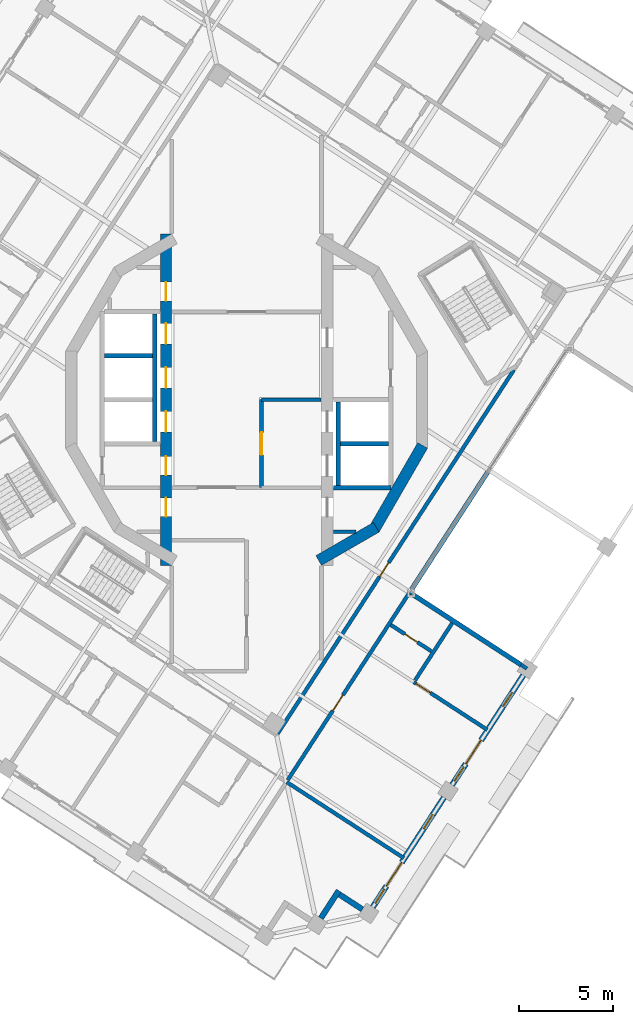
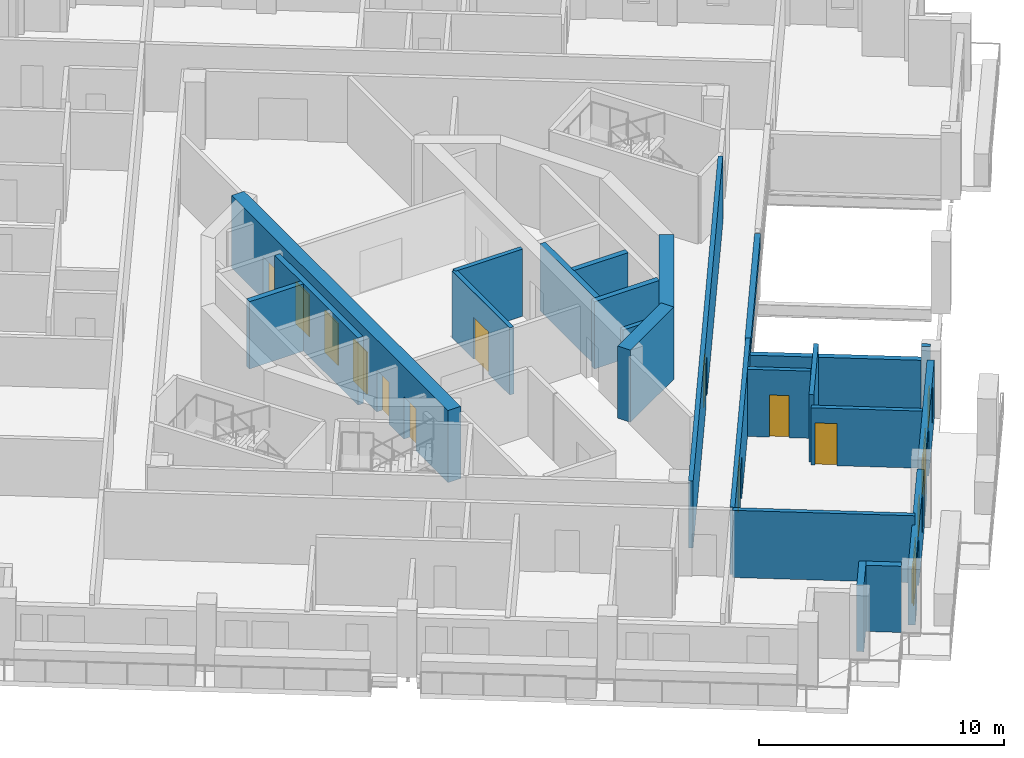
# One storey, part 7 of 17: 24 walls, 13 doors, 4 windows, 17 openings.
"""IFC4 building model written with IfcOpenShell, lengths in metres."""

from ifc_helpers import new_model, si_unit, direction, frame, frame_2d, origin, place, context, subcontext, project, spatial, rectangle, extrude, material, layer, layer_set, type_object, element, fill, save


model = new_model("IFC4")

# Units and contexts
model_context = context("Model", 3, precision=1e-05, world=origin(), true_north=direction((0.0, 1.0)))
body_context = subcontext(model_context, "Body", "Model", "MODEL_VIEW")
ifc_project = project(units=[si_unit("LENGTHUNIT", "METRE"), si_unit("AREAUNIT", "SQUARE_METRE"), si_unit("VOLUMEUNIT", "CUBIC_METRE"), si_unit("PLANEANGLEUNIT", "RADIAN"), si_unit("MASSUNIT", "GRAM", prefix="KILO")], contexts=[model_context])

# Site, building, storey
site_placement = place(None, origin())
site = spatial("IfcSite", under=ifc_project, at=site_placement, CompositionType="ELEMENT")
building_placement = place(site_placement, origin())
building = spatial("IfcBuilding", under=site, at=building_placement, Name="Cantera Rosa Tower", CompositionType="ELEMENT")
storey_placement = place(building_placement, frame((0.0, 0.0, 264.89990234375)))
storey = spatial("IfcBuildingStorey", under=building, at=storey_placement, Name="L59", CompositionType="ELEMENT", Elevation=264.89990234375)

# Wall, opening, door
ifc_material_1 = material(Name="Gypsum board partition")
ifc_layer_1 = layer(ifc_material_1, 0.199951171875)
ifc_layer_set_1 = layer_set([ifc_layer_1], Name="CORRIDOR WALL 200 H3350")
wall_type_1 = type_object("IfcWallType", Name="CORRIDOR WALL 200 H3350", PredefinedType="PARTITIONING", material=ifc_layer_set_1)
wall_1_placement = place(storey_placement, frame((1.656982421875, -17.828857421875, 0.0), z_axis=(0.0, 0.0, 1.0), x_axis=(0.544640309195, 0.838669740482, 0.0)))
wall_1 = element("IfcWall", 1, at=wall_1_placement, inside=storey, type_object=wall_type_1, Name="CORRIDOR WALL L59-064", PredefinedType="PARTITIONING", context=body_context, shape_type="SweptSolid", body=[
    extrude(rectangle(XDim=23.1552734375, YDim=0.199951171875, at=frame_2d((11.57763671875, 0.0))), origin(), (0.0, 0.0, 1.0), 3.35009765625),
])
opening_1_placement = place(wall_1_placement, frame((9.984619140625, 0.0, 0.0)))
opening_1 = element("IfcOpeningElement", 2, at=opening_1_placement, cuts=wall_1, Name="Opening L59-007", PredefinedType="OPENING", context=body_context, shape_type="SweptSolid", body=[
    extrude(rectangle(XDim=0.89990234375, YDim=2.10009765625, at=frame_2d((0.449951171875, 1.050048828125))), frame((0.0, 0.10986328125, 0.0), z_axis=(0.0, -1.0, 0.0), x_axis=(1.0, 0.0, 0.0)), (0.0, 0.0, 1.0), 0.219970703125),
])
ifc_material_2 = material(Name="Timber door leaf", Category="wood")
door_type_1 = type_object("IfcDoorType", Name="SERVICE DOOR 900x2100", OperationType="NOTDEFINED", PredefinedType="DOOR", material=ifc_material_2)
door_1_placement = place(opening_1_placement, origin())
door_1 = element("IfcDoor", 3, at=door_1_placement, inside=storey, type_object=door_type_1, Name="DOOR L59-007", OperationType="NOTDEFINED", OverallHeight=2.10009765625, OverallWidth=0.89990234375, PredefinedType="DOOR", context=body_context, shape_type="SweptSolid", body=[
    extrude(rectangle(XDim=0.89990234375, YDim=2.10009765625, at=frame_2d((0.449951171875, 1.050048828125))), frame((0.0, 0.02490234375, 0.0), z_axis=(0.0, -1.0, 0.0), x_axis=(1.0, 0.0, 0.0)), (0.0, 0.0, 1.0), 0.050048828125),
])
fill(opening_1, door_1)

wall_2_placement = place(storey_placement, frame((2.197265625, -20.302001953125, 0.0), z_axis=(0.0, 0.0, 1.0), x_axis=(0.544634094659, 0.83867377623, 0.0)))
wall_2 = element("IfcWall", 4, at=wall_2_placement, inside=storey, type_object=wall_type_1, Name="CORRIDOR WALL L59-065", PredefinedType="PARTITIONING", context=body_context, shape_type="SweptSolid", body=[
    extrude(rectangle(XDim=12.06494140625, YDim=0.199951171875, at=frame_2d((6.032470703125, 0.0))), origin(), (0.0, 0.0, 1.0), 3.35009765625),
])
opening_2_placement = place(wall_2_placement, frame((4.409912109375, 0.0, 0.0)))
opening_2 = element("IfcOpeningElement", 5, at=opening_2_placement, cuts=wall_2, Name="Opening L59-045", PredefinedType="OPENING", context=body_context, shape_type="SweptSolid", body=[
    extrude(rectangle(XDim=1.0, YDim=2.10009765625, at=frame_2d((0.5, 1.050048828125))), frame((0.0, 0.10986328125, 0.0), z_axis=(0.0, -1.0, 0.0), x_axis=(1.0, 0.0, 0.0)), (0.0, 0.0, 1.0), 0.219970703125),
])
ifc_material_3 = material(Name="Timber door leaf", Category="wood")
door_type_2 = type_object("IfcDoorType", Name="ENTRANCE DOOR 1000x2100", OperationType="NOTDEFINED", PredefinedType="DOOR", material=ifc_material_3)
door_2_placement = place(opening_2_placement, origin())
door_2 = element("IfcDoor", 6, at=door_2_placement, inside=storey, type_object=door_type_2, Name="DOOR L59-045", OperationType="NOTDEFINED", OverallHeight=2.10009765625, OverallWidth=1.0, PredefinedType="DOOR", context=body_context, shape_type="SweptSolid", body=[
    extrude(rectangle(XDim=1.0, YDim=2.10009765625, at=frame_2d((0.5, 1.050048828125))), frame((0.0, 0.02490234375, 0.0), z_axis=(0.0, -1.0, 0.0), x_axis=(1.0, 0.0, 0.0)), (0.0, 0.0, 1.0), 0.050048828125),
])
fill(opening_2, door_2)

# Walls
ifc_material_4 = material(Name="Hollow clay masonry with cantera stone cladding", Category="masonry")
ifc_layer_2 = layer(ifc_material_4, 0.300048828125)
ifc_layer_set_2 = layer_set([ifc_layer_2], Name="EW-LOGGIA 300")
wall_type_2 = type_object("IfcWallType", Name="EW-LOGGIA 300", PredefinedType="SOLIDWALL", material=ifc_layer_set_2)
wall_3_placement = place(storey_placement, frame((3.966796875, -27.67529296875, 0.0), z_axis=(0.0, 0.0, 1.0), x_axis=(0.544679362749, 0.83864437743, 0.0)))
element("IfcWall", 7, at=wall_3_placement, inside=storey, type_object=wall_type_2, Name="EN-L59-W19a", PredefinedType="SOLIDWALL", context=body_context, shape_type="SweptSolid", body=[
    extrude(rectangle(XDim=1.75, YDim=0.300048828125, at=frame_2d((0.875, 0.0))), origin(), (0.0, 0.0, 1.0), 3.300048828125),
])
wall_4_placement = place(storey_placement, frame((4.964111328125, -26.415283203125, 0.0), z_axis=(0.0, 0.0, 1.0), x_axis=(0.838724343483, -0.544556218997, 0.0)))
element("IfcWall", 8, at=wall_4_placement, inside=storey, type_object=wall_type_2, Name="EN-L59-W19b", PredefinedType="SOLIDWALL", context=body_context, shape_type="SweptSolid", body=[
    extrude(rectangle(XDim=1.449951171875, YDim=0.300048828125, at=frame_2d((0.72509765625, 0.0))), origin(), (0.0, 0.0, 1.0), 3.300048828125),
])

# Wall, openings, windows, door
ifc_material_5 = material(Name="Hollow clay masonry with cantera stone cladding", Category="masonry")
ifc_layer_3 = layer(ifc_material_5, 0.300048828125)
ifc_layer_set_3 = layer_set([ifc_layer_3], Name="EW-LOGGIA 300 H2890")
wall_type_3 = type_object("IfcWallType", Name="EW-LOGGIA 300 H2890", PredefinedType="SOLIDWALL", material=ifc_layer_set_3)
wall_5_placement = place(storey_placement, frame((6.7333984375, -27.08740234375, 0.0), z_axis=(0.0, 0.0, 1.0), x_axis=(0.544651451949, 0.838662504164, 0.0)))
wall_5 = element("IfcWall", 9, at=wall_5_placement, inside=storey, type_object=wall_type_3, Name="EN-L59-W20", PredefinedType="SOLIDWALL", context=body_context, shape_type="SweptSolid", body=[
    extrude(rectangle(XDim=6.980224609375, YDim=0.300048828125, at=frame_2d((3.490234375, 0.0))), origin(), (0.0, 0.0, 1.0), 2.89013671875),
])
opening_3_placement = place(wall_5_placement, frame((0.2451171875, 0.0, 0.89990234375)))
opening_3 = element("IfcOpeningElement", 10, at=opening_3_placement, cuts=wall_5, Name="Opening L59-W40", PredefinedType="OPENING", context=body_context, shape_type="SweptSolid", body=[
    extrude(rectangle(XDim=0.89990234375, YDim=1.5, at=frame_2d((0.449951171875, 0.75))), frame((0.0, 0.159912109375, 0.0), z_axis=(0.0, -1.0, 0.0), x_axis=(1.0, 0.0, 0.0)), (0.0, 0.0, 1.0), 0.320068359375),
])
opening_4_placement = place(wall_5_placement, frame((1.344970703125, 0.0, 0.0)))
opening_4 = element("IfcOpeningElement", 11, at=opening_4_placement, cuts=wall_5, Name="Opening L59-TD41", PredefinedType="OPENING", context=body_context, shape_type="SweptSolid", body=[
    extrude(rectangle(XDim=1.5, YDim=2.39990234375, at=frame_2d((0.75, 1.199951171875))), frame((0.0, 0.159912109375, 0.0), z_axis=(0.0, -1.0, 0.0), x_axis=(1.0, 0.0, 0.0)), (0.0, 0.0, 1.0), 0.320068359375),
])
opening_5_placement = place(wall_5_placement, frame((4.985107421875, 0.0, 0.89990234375)))
opening_5 = element("IfcOpeningElement", 12, at=opening_5_placement, cuts=wall_5, Name="Opening L59-W42", PredefinedType="OPENING", context=body_context, shape_type="SweptSolid", body=[
    extrude(rectangle(XDim=0.89990234375, YDim=1.5, at=frame_2d((0.449951171875, 0.75))), frame((0.0, 0.159912109375, 0.0), z_axis=(0.0, -1.0, 0.0), x_axis=(1.0, 0.0, 0.0)), (0.0, 0.0, 1.0), 0.320068359375),
])
ifc_material_6 = material(Name="Aluminium frame with clear glass", Category="aluminium")
window_type = type_object("IfcWindowType", Name="Residential window 900x1500", PartitioningType="SINGLE_PANEL", PredefinedType="WINDOW", material=ifc_material_6)
window_1_placement = place(opening_3_placement, origin())
window_1 = element("IfcWindow", 13, at=window_1_placement, inside=storey, type_object=window_type, Name="WINDOW L59-W40", OverallHeight=1.5, OverallWidth=0.89990234375, PartitioningType="SINGLE_PANEL", PredefinedType="WINDOW", context=body_context, shape_type="SweptSolid", body=[
    extrude(rectangle(XDim=0.89990234375, YDim=1.5, at=frame_2d((0.449951171875, 0.75))), frame((0.0, 0.030029296875, 0.0), z_axis=(0.0, -1.0, 0.0), x_axis=(1.0, 0.0, 0.0)), (0.0, 0.0, 1.0), 0.06005859375),
])
fill(opening_3, window_1)
window_2_placement = place(opening_5_placement, origin())
window_2 = element("IfcWindow", 14, at=window_2_placement, inside=storey, type_object=window_type, Name="WINDOW L59-W42", OverallHeight=1.5, OverallWidth=0.89990234375, PartitioningType="SINGLE_PANEL", PredefinedType="WINDOW", context=body_context, shape_type="SweptSolid", body=[
    extrude(rectangle(XDim=0.89990234375, YDim=1.5, at=frame_2d((0.449951171875, 0.75))), frame((0.0, 0.030029296875, 0.0), z_axis=(0.0, -1.0, 0.0), x_axis=(1.0, 0.0, 0.0)), (0.0, 0.0, 1.0), 0.06005859375),
])
fill(opening_5, window_2)
ifc_material_7 = material(Name="Aluminium frame with clear glass", Category="aluminium")
door_type_3 = type_object("IfcDoorType", Name="TD-R 1500x2400", OperationType="NOTDEFINED", PredefinedType="DOOR", material=ifc_material_7)
door_3_placement = place(opening_4_placement, origin())
door_3 = element("IfcDoor", 15, at=door_3_placement, inside=storey, type_object=door_type_3, Name="LOGGIA DOOR L59-TD41", OperationType="SLIDING_TO_LEFT", OverallHeight=2.39990234375, OverallWidth=1.5, PredefinedType="DOOR", context=body_context, shape_type="SweptSolid", body=[
    extrude(rectangle(XDim=1.5, YDim=2.39990234375, at=frame_2d((0.75, 1.199951171875))), frame((0.0, 0.02490234375, 0.0), z_axis=(0.0, -1.0, 0.0), x_axis=(1.0, 0.0, 0.0)), (0.0, 0.0, 1.0), 0.050048828125),
])
fill(opening_4, door_3)

wall_6_placement = place(storey_placement, frame((10.970703125, -20.5625, 0.0), z_axis=(0.0, 0.0, 1.0), x_axis=(0.544651451949, 0.838662504164, 0.0)))
wall_6 = element("IfcWall", 16, at=wall_6_placement, inside=storey, type_object=wall_type_3, Name="EN-L59-W21", PredefinedType="SOLIDWALL", context=body_context, shape_type="SweptSolid", body=[
    extrude(rectangle(XDim=6.980224609375, YDim=0.300048828125, at=frame_2d((3.490234375, 0.0))), origin(), (0.0, 0.0, 1.0), 2.89013671875),
])
opening_6_placement = place(wall_6_placement, frame((0.2451171875, 0.0, 0.89990234375)))
opening_6 = element("IfcOpeningElement", 17, at=opening_6_placement, cuts=wall_6, Name="Opening L59-W43", PredefinedType="OPENING", context=body_context, shape_type="SweptSolid", body=[
    extrude(rectangle(XDim=0.89990234375, YDim=1.5, at=frame_2d((0.449951171875, 0.75))), frame((0.0, 0.159912109375, 0.0), z_axis=(0.0, -1.0, 0.0), x_axis=(1.0, 0.0, 0.0)), (0.0, 0.0, 1.0), 0.320068359375),
])
opening_7_placement = place(wall_6_placement, frame((1.344970703125, 0.0, 0.0)))
opening_7 = element("IfcOpeningElement", 18, at=opening_7_placement, cuts=wall_6, Name="Opening L59-TD44", PredefinedType="OPENING", context=body_context, shape_type="SweptSolid", body=[
    extrude(rectangle(XDim=1.5, YDim=2.39990234375, at=frame_2d((0.75, 1.199951171875))), frame((0.0, 0.159912109375, 0.0), z_axis=(0.0, -1.0, 0.0), x_axis=(1.0, 0.0, 0.0)), (0.0, 0.0, 1.0), 0.320068359375),
])
opening_8_placement = place(wall_6_placement, frame((4.985107421875, 0.0, 0.89990234375)))
opening_8 = element("IfcOpeningElement", 19, at=opening_8_placement, cuts=wall_6, Name="Opening L59-W45", PredefinedType="OPENING", context=body_context, shape_type="SweptSolid", body=[
    extrude(rectangle(XDim=0.89990234375, YDim=1.5, at=frame_2d((0.449951171875, 0.75))), frame((0.0, 0.159912109375, 0.0), z_axis=(0.0, -1.0, 0.0), x_axis=(1.0, 0.0, 0.0)), (0.0, 0.0, 1.0), 0.320068359375),
])
window_3_placement = place(opening_6_placement, origin())
window_3 = element("IfcWindow", 20, at=window_3_placement, inside=storey, type_object=window_type, Name="WINDOW L59-W43", OverallHeight=1.5, OverallWidth=0.89990234375, PartitioningType="SINGLE_PANEL", PredefinedType="WINDOW", context=body_context, shape_type="SweptSolid", body=[
    extrude(rectangle(XDim=0.89990234375, YDim=1.5, at=frame_2d((0.449951171875, 0.75))), frame((0.0, 0.030029296875, 0.0), z_axis=(0.0, -1.0, 0.0), x_axis=(1.0, 0.0, 0.0)), (0.0, 0.0, 1.0), 0.06005859375),
])
fill(opening_6, window_3)
window_4_placement = place(opening_8_placement, origin())
window_4 = element("IfcWindow", 21, at=window_4_placement, inside=storey, type_object=window_type, Name="WINDOW L59-W45", OverallHeight=1.5, OverallWidth=0.89990234375, PartitioningType="SINGLE_PANEL", PredefinedType="WINDOW", context=body_context, shape_type="SweptSolid", body=[
    extrude(rectangle(XDim=0.89990234375, YDim=1.5, at=frame_2d((0.449951171875, 0.75))), frame((0.0, 0.030029296875, 0.0), z_axis=(0.0, -1.0, 0.0), x_axis=(1.0, 0.0, 0.0)), (0.0, 0.0, 1.0), 0.06005859375),
])
fill(opening_8, window_4)
door_4_placement = place(opening_7_placement, origin())
door_4 = element("IfcDoor", 22, at=door_4_placement, inside=storey, type_object=door_type_3, Name="LOGGIA DOOR L59-TD44", OperationType="SLIDING_TO_LEFT", OverallHeight=2.39990234375, OverallWidth=1.5, PredefinedType="DOOR", context=body_context, shape_type="SweptSolid", body=[
    extrude(rectangle(XDim=1.5, YDim=2.39990234375, at=frame_2d((0.75, 1.199951171875))), frame((0.0, 0.02490234375, 0.0), z_axis=(0.0, -1.0, 0.0), x_axis=(1.0, 0.0, 0.0)), (0.0, 0.0, 1.0), 0.050048828125),
])
fill(opening_7, door_4)

# Walls
ifc_material_8 = material(Name="Concrete C40/50", Category="concrete")
ifc_layer_4 = layer(ifc_material_8, 0.25)
ifc_layer_set_4 = layer_set([ifc_layer_4], Name="EW-POCKET CHEEK 250 H2670")
wall_type_4 = type_object("IfcWallType", Name="EW-POCKET CHEEK 250 H2670", PredefinedType="SOLIDWALL", material=ifc_layer_set_4)
wall_7_placement = place(storey_placement, frame((14.65478515625, -14.1552734375, 0.0), z_axis=(0.0, 0.0, 1.0), x_axis=(-0.838665071449, 0.544647498784, 0.0)))
element("IfcWall", 23, at=wall_7_placement, inside=storey, type_object=wall_type_4, Name="POCKET CHEEK A L59", PredefinedType="SOLIDWALL", context=body_context, shape_type="SweptSolid", body=[
    extrude(rectangle(XDim=7.0, YDim=0.25, at=frame_2d((3.5, 0.0))), origin(), (0.0, 0.0, 1.0), 2.670166015625),
])
ifc_material_9 = material(Name="Hollow clay masonry with cantera stone cladding", Category="masonry")
ifc_layer_5 = layer(ifc_material_9, 0.25)
ifc_layer_set_5 = layer_set([ifc_layer_5], Name="EW-POCKET REAR 250")
wall_type_5 = type_object("IfcWallType", Name="EW-POCKET REAR 250", PredefinedType="SOLIDWALL", material=ifc_layer_set_5)
wall_8_placement = place(storey_placement, frame((8.768310546875, -10.183349609375, 2.658203125), z_axis=(0.0, 0.0, 1.0), x_axis=(0.544643698551, 0.838667539391, 0.0)))
element("IfcWall", 24, at=wall_8_placement, inside=storey, type_object=wall_type_5, Name="POCKET SPANDREL L59-1", PredefinedType="SOLIDWALL", context=body_context, shape_type="SweptSolid", body=[
    extrude(rectangle(XDim=7.5205078125, YDim=0.25, at=frame_2d((3.76025390625, 0.0))), origin(), (0.0, 0.0, 1.0), 0.641845703125),
])

# Wall, opening, door
ifc_material_10 = material(Name="Gypsum board partition")
ifc_layer_6 = layer(ifc_material_10, 0.199951171875)
ifc_layer_set_6 = layer_set([ifc_layer_6], Name="PARTITION 200 H2850")
wall_type_6 = type_object("IfcWallType", Name="PARTITION 200 H2850", PredefinedType="PARTITIONING", material=ifc_layer_set_6)
wall_9_placement = place(storey_placement, frame((12.846435546875, -17.619140625, 0.0), z_axis=(0.0, 0.0, 1.0), x_axis=(-0.838681218127, 0.544622634822, 0.0)))
wall_9 = element("IfcWall", 25, at=wall_9_placement, inside=storey, type_object=wall_type_6, Name="PARTITION L59-091", PredefinedType="PARTITIONING", context=body_context, shape_type="SweptSolid", body=[
    extrude(rectangle(XDim=4.670166015625, YDim=0.199951171875, at=frame_2d((2.3349609375, 0.0))), origin(), (0.0, 0.0, 1.0), 2.85009765625),
])
opening_9_placement = place(wall_9_placement, frame((3.6201171875, 0.0, 0.0)))
opening_9 = element("IfcOpeningElement", 26, at=opening_9_placement, cuts=wall_9, Name="Opening L59-047", PredefinedType="OPENING", context=body_context, shape_type="SweptSolid", body=[
    extrude(rectangle(XDim=0.89990234375, YDim=2.10009765625, at=frame_2d((0.449951171875, 1.050048828125))), frame((0.0, 0.10986328125, 0.0), z_axis=(0.0, -1.0, 0.0), x_axis=(1.0, 0.0, 0.0)), (0.0, 0.0, 1.0), 0.219970703125),
])
ifc_material_11 = material(Name="Timber door leaf", Category="wood")
door_type_4 = type_object("IfcDoorType", Name="ROOM DOOR 900x2100", OperationType="NOTDEFINED", PredefinedType="DOOR", material=ifc_material_11)
door_5_placement = place(opening_9_placement, origin())
door_5 = element("IfcDoor", 27, at=door_5_placement, inside=storey, type_object=door_type_4, Name="DOOR L59-047", OperationType="NOTDEFINED", OverallHeight=2.10009765625, OverallWidth=0.89990234375, PredefinedType="DOOR", context=body_context, shape_type="SweptSolid", body=[
    extrude(rectangle(XDim=0.89990234375, YDim=2.10009765625, at=frame_2d((0.449951171875, 1.050048828125))), frame((0.0, 0.02490234375, 0.0), z_axis=(0.0, -1.0, 0.0), x_axis=(1.0, 0.0, 0.0)), (0.0, 0.0, 1.0), 0.050048828125),
])
fill(opening_9, door_5)

# Walls
ifc_material_12 = material(Name="Gypsum board partition")
ifc_layer_7 = layer(ifc_material_12, 0.199951171875)
ifc_layer_set_7 = layer_set([ifc_layer_7], Name="PARTITION 200 H3350")
wall_type_7 = type_object("IfcWallType", Name="PARTITION 200 H3350", PredefinedType="PARTITIONING", material=ifc_layer_set_7)
wall_10_placement = place(storey_placement, frame((5.84765625, -7.050048828125, 0.0), z_axis=(0.0, 0.0, 1.0), x_axis=(-1.0, 0.0, 0.0)))
element("IfcWall", 28, at=wall_10_placement, inside=storey, type_object=wall_type_7, Name="PARTITION L59-075", PredefinedType="PARTITIONING", context=body_context, shape_type="SweptSolid", body=[
    extrude(rectangle(XDim=1.2177734375, YDim=0.199951171875, at=frame_2d((0.60888671875, 0.0))), origin(), (0.0, 0.0, 1.0), 3.35009765625),
])
wall_11_placement = place(storey_placement, frame((14.65478515625, -14.1552734375, 0.0), z_axis=(0.0, 0.0, 1.0), x_axis=(0.838790236691, -0.544454716971, 0.0)))
element("IfcWall", 29, at=wall_11_placement, inside=storey, type_object=wall_type_7, Name="PARTITION L59-083", PredefinedType="PARTITIONING", context=body_context, shape_type="SweptSolid", body=[
    extrude(rectangle(XDim=0.369873046875, YDim=0.199951171875, at=frame_2d((0.18505859375, 0.0))), origin(), (0.0, 0.0, 1.0), 3.35009765625),
])

# Wall, opening, door
wall_12_placement = place(storey_placement, frame((9.858642578125, -13.42529296875, 0.0), z_axis=(0.0, 0.0, 1.0), x_axis=(-0.838657579454, 0.544659035015, 0.0)))
wall_12 = element("IfcWall", 30, at=wall_12_placement, inside=storey, type_object=wall_type_7, Name="PARTITION L59-086", PredefinedType="PARTITIONING", context=body_context, shape_type="SweptSolid", body=[
    extrude(rectangle(XDim=2.580078125, YDim=0.199951171875, at=frame_2d((1.2900390625, 0.0))), origin(), (0.0, 0.0, 1.0), 3.35009765625),
])
opening_10_placement = place(wall_12_placement, frame((0.8798828125, 0.0, 0.0)))
opening_10 = element("IfcOpeningElement", 31, at=opening_10_placement, cuts=wall_12, Name="Opening L59-046", PredefinedType="OPENING", context=body_context, shape_type="SweptSolid", body=[
    extrude(rectangle(XDim=0.800048828125, YDim=2.10009765625, at=frame_2d((0.39990234375, 1.050048828125))), frame((0.0, 0.10986328125, 0.0), z_axis=(0.0, -1.0, 0.0), x_axis=(1.0, 0.0, 0.0)), (0.0, 0.0, 1.0), 0.219970703125),
])
ifc_material_13 = material(Name="Timber door leaf", Category="wood")
door_type_5 = type_object("IfcDoorType", Name="BATHROOM DOOR 800x2100", OperationType="NOTDEFINED", PredefinedType="DOOR", material=ifc_material_13)
door_6_placement = place(opening_10_placement, origin())
door_6 = element("IfcDoor", 32, at=door_6_placement, inside=storey, type_object=door_type_5, Name="DOOR L59-046", OperationType="NOTDEFINED", OverallHeight=2.10009765625, OverallWidth=0.800048828125, PredefinedType="DOOR", context=body_context, shape_type="SweptSolid", body=[
    extrude(rectangle(XDim=0.800048828125, YDim=2.10009765625, at=frame_2d((0.39990234375, 1.050048828125))), frame((0.0, 0.02490234375, 0.0), z_axis=(0.0, -1.0, 0.0), x_axis=(1.0, 0.0, 0.0)), (0.0, 0.0, 1.0), 0.050048828125),
])
fill(opening_10, door_6)

# Walls
wall_13_placement = place(storey_placement, frame((10.97509765625, -11.926513671875, 0.0), z_axis=(0.0, 0.0, 1.0), x_axis=(-0.544679064134, -0.838644571374, 0.0)))
element("IfcWall", 33, at=wall_13_placement, inside=storey, type_object=wall_type_7, Name="PARTITION L59-087", PredefinedType="PARTITIONING", context=body_context, shape_type="SweptSolid", body=[
    extrude(rectangle(XDim=3.63525390625, YDim=0.199951171875, at=frame_2d((1.817626953125, 0.0))), origin(), (0.0, 0.0, 1.0), 3.35009765625),
])
ifc_material_14 = material(Name="Gypsum board partition")
ifc_layer_8 = layer(ifc_material_14, 0.199951171875)
ifc_layer_set_8 = layer_set([ifc_layer_8], Name="PARTY WALL 200 H3350")
wall_type_8 = type_object("IfcWallType", Name="PARTY WALL 200 H3350", PredefinedType="PARTITIONING", material=ifc_layer_set_8)
wall_14_placement = place(storey_placement, frame((8.396728515625, -24.47119140625, 0.0), z_axis=(0.0, 0.0, 1.0), x_axis=(-0.83866516607, 0.544647353083, 0.0)))
element("IfcWall", 34, at=wall_14_placement, inside=storey, type_object=wall_type_8, Name="PARTY WALL L59-081", PredefinedType="PARTITIONING", context=body_context, shape_type="SweptSolid", body=[
    extrude(rectangle(XDim=7.449951171875, YDim=0.199951171875, at=frame_2d((3.72509765625, 0.0))), origin(), (0.0, 0.0, 1.0), 3.35009765625),
])

# Wall, openings, doors
ifc_material_15 = material(Name="Concrete C50/60", Category="concrete")
ifc_layer_9 = layer(ifc_material_15, 0.60009765625)
ifc_layer_set_9 = layer_set([ifc_layer_9], Name="RC CORE WALL 600 C50/60")
wall_type_9 = type_object("IfcWallType", Name="RC CORE WALL 600 C50/60", PredefinedType="SHEAR", material=ifc_layer_set_9)
wall_15_placement = place(storey_placement, frame((-4.300048828125, 8.84423828125, 0.0), z_axis=(0.0, 0.0, 1.0), x_axis=(0.0, -1.0, 0.0)))
wall_15 = element("IfcWall", 35, at=wall_15_placement, inside=storey, type_object=wall_type_9, Name="CW-W6 L59", PredefinedType="SHEAR", context=body_context, shape_type="SweptSolid", body=[
    extrude(rectangle(XDim=17.6884765625, YDim=0.60009765625, at=frame_2d((8.84423828125, 0.0))), origin(), (0.0, 0.0, 1.0), 3.60009765625),
])
opening_11_placement = place(wall_15_placement, frame((9.468994140625, 0.0, 0.0)))
opening_11 = element("IfcOpeningElement", 36, at=opening_11_placement, cuts=wall_15, Name="Opening LD-H1-L59", PredefinedType="OPENING", context=body_context, shape_type="SweptSolid", body=[
    extrude(rectangle(XDim=1.10009765625, YDim=2.10009765625, at=frame_2d((0.550048828125, 1.050048828125))), frame((0.0, 0.31005859375, 0.0), z_axis=(0.0, -1.0, 0.0), x_axis=(1.0, 0.0, 0.0)), (0.0, 0.0, 1.0), 0.6201171875),
])
opening_12_placement = place(wall_15_placement, frame((7.119140625, 0.0, 0.0)))
opening_12 = element("IfcOpeningElement", 37, at=opening_12_placement, cuts=wall_15, Name="Opening LD-H2-L59", PredefinedType="OPENING", context=body_context, shape_type="SweptSolid", body=[
    extrude(rectangle(XDim=1.10009765625, YDim=2.10009765625, at=frame_2d((0.550048828125, 1.050048828125))), frame((0.0, 0.31005859375, 0.0), z_axis=(0.0, -1.0, 0.0), x_axis=(1.0, 0.0, 0.0)), (0.0, 0.0, 1.0), 0.6201171875),
])
opening_13_placement = place(wall_15_placement, frame((4.76904296875, 0.0, 0.0)))
opening_13 = element("IfcOpeningElement", 38, at=opening_13_placement, cuts=wall_15, Name="Opening LD-H3-L59", PredefinedType="OPENING", context=body_context, shape_type="SweptSolid", body=[
    extrude(rectangle(XDim=1.10009765625, YDim=2.10009765625, at=frame_2d((0.550048828125, 1.050048828125))), frame((0.0, 0.31005859375, 0.0), z_axis=(0.0, -1.0, 0.0), x_axis=(1.0, 0.0, 0.0)), (0.0, 0.0, 1.0), 0.6201171875),
])
opening_14_placement = place(wall_15_placement, frame((14.091552734375, 0.0, 0.0)))
opening_14 = element("IfcOpeningElement", 39, at=opening_14_placement, cuts=wall_15, Name="Opening SD-L59-14", PredefinedType="OPENING", context=body_context, shape_type="SweptSolid", body=[
    extrude(rectangle(XDim=1.0, YDim=2.10009765625, at=frame_2d((0.5, 1.050048828125))), frame((0.0, 0.31005859375, 0.0), z_axis=(0.0, -1.0, 0.0), x_axis=(1.0, 0.0, 0.0)), (0.0, 0.0, 1.0), 0.6201171875),
])
opening_15_placement = place(wall_15_placement, frame((2.572265625, 0.0, 0.0)))
opening_15 = element("IfcOpeningElement", 40, at=opening_15_placement, cuts=wall_15, Name="Opening SD-L59-15", PredefinedType="OPENING", context=body_context, shape_type="SweptSolid", body=[
    extrude(rectangle(XDim=1.0, YDim=2.10009765625, at=frame_2d((0.5, 1.050048828125))), frame((0.0, 0.31005859375, 0.0), z_axis=(0.0, -1.0, 0.0), x_axis=(1.0, 0.0, 0.0)), (0.0, 0.0, 1.0), 0.6201171875),
])
opening_16_placement = place(wall_15_placement, frame((11.869140625, 0.0, 0.0)))
opening_16 = element("IfcOpeningElement", 41, at=opening_16_placement, cuts=wall_15, Name="Opening SD-L59-16", PredefinedType="OPENING", context=body_context, shape_type="SweptSolid", body=[
    extrude(rectangle(XDim=1.0, YDim=2.10009765625, at=frame_2d((0.5, 1.050048828125))), frame((0.0, 0.31005859375, 0.0), z_axis=(0.0, -1.0, 0.0), x_axis=(1.0, 0.0, 0.0)), (0.0, 0.0, 1.0), 0.6201171875),
])
ifc_material_16 = material(Name="Steel S355J2 (EN 10025-2)", Category="steel")
door_type_6 = type_object("IfcDoorType", Name="LANDING DOOR 1100x2100", OperationType="NOTDEFINED", PredefinedType="DOOR", material=ifc_material_16)
door_7_placement = place(opening_11_placement, origin())
door_7 = element("IfcDoor", 42, at=door_7_placement, inside=storey, type_object=door_type_6, Name="LANDING DOOR H1 L59", OperationType="SLIDING_TO_LEFT", OverallHeight=2.10009765625, OverallWidth=1.10009765625, PredefinedType="DOOR", context=body_context, shape_type="SweptSolid", body=[
    extrude(rectangle(XDim=1.10009765625, YDim=2.10009765625, at=frame_2d((0.550048828125, 1.050048828125))), frame((0.0, 0.02490234375, 0.0), z_axis=(0.0, -1.0, 0.0), x_axis=(1.0, 0.0, 0.0)), (0.0, 0.0, 1.0), 0.050048828125),
])
fill(opening_11, door_7)
door_8_placement = place(opening_12_placement, origin())
door_8 = element("IfcDoor", 43, at=door_8_placement, inside=storey, type_object=door_type_6, Name="LANDING DOOR H2 L59", OperationType="SLIDING_TO_LEFT", OverallHeight=2.10009765625, OverallWidth=1.10009765625, PredefinedType="DOOR", context=body_context, shape_type="SweptSolid", body=[
    extrude(rectangle(XDim=1.10009765625, YDim=2.10009765625, at=frame_2d((0.550048828125, 1.050048828125))), frame((0.0, 0.02490234375, 0.0), z_axis=(0.0, -1.0, 0.0), x_axis=(1.0, 0.0, 0.0)), (0.0, 0.0, 1.0), 0.050048828125),
])
fill(opening_12, door_8)
door_9_placement = place(opening_13_placement, origin())
door_9 = element("IfcDoor", 44, at=door_9_placement, inside=storey, type_object=door_type_6, Name="LANDING DOOR H3 L59", OperationType="SLIDING_TO_LEFT", OverallHeight=2.10009765625, OverallWidth=1.10009765625, PredefinedType="DOOR", context=body_context, shape_type="SweptSolid", body=[
    extrude(rectangle(XDim=1.10009765625, YDim=2.10009765625, at=frame_2d((0.550048828125, 1.050048828125))), frame((0.0, 0.02490234375, 0.0), z_axis=(0.0, -1.0, 0.0), x_axis=(1.0, 0.0, 0.0)), (0.0, 0.0, 1.0), 0.050048828125),
])
fill(opening_13, door_9)
ifc_material_17 = material(Name="Timber door leaf", Category="wood")
door_type_7 = type_object("IfcDoorType", Name="SERVICE DOOR 1000x2100", OperationType="NOTDEFINED", PredefinedType="DOOR", material=ifc_material_17)
door_10_placement = place(opening_14_placement, origin())
door_10 = element("IfcDoor", 45, at=door_10_placement, inside=storey, type_object=door_type_7, Name="DOOR L59-SD14", OperationType="NOTDEFINED", OverallHeight=2.10009765625, OverallWidth=1.0, PredefinedType="DOOR", context=body_context, shape_type="SweptSolid", body=[
    extrude(rectangle(XDim=1.0, YDim=2.10009765625, at=frame_2d((0.5, 1.050048828125))), frame((0.0, 0.02490234375, 0.0), z_axis=(0.0, -1.0, 0.0), x_axis=(1.0, 0.0, 0.0)), (0.0, 0.0, 1.0), 0.050048828125),
])
fill(opening_14, door_10)
door_11_placement = place(opening_15_placement, origin())
door_11 = element("IfcDoor", 46, at=door_11_placement, inside=storey, type_object=door_type_7, Name="DOOR L59-SD15", OperationType="NOTDEFINED", OverallHeight=2.10009765625, OverallWidth=1.0, PredefinedType="DOOR", context=body_context, shape_type="SweptSolid", body=[
    extrude(rectangle(XDim=1.0, YDim=2.10009765625, at=frame_2d((0.5, 1.050048828125))), frame((0.0, 0.02490234375, 0.0), z_axis=(0.0, -1.0, 0.0), x_axis=(1.0, 0.0, 0.0)), (0.0, 0.0, 1.0), 0.050048828125),
])
fill(opening_15, door_11)
door_12_placement = place(opening_16_placement, origin())
door_12 = element("IfcDoor", 47, at=door_12_placement, inside=storey, type_object=door_type_7, Name="DOOR L59-SD16", OperationType="NOTDEFINED", OverallHeight=2.10009765625, OverallWidth=1.0, PredefinedType="DOOR", context=body_context, shape_type="SweptSolid", body=[
    extrude(rectangle(XDim=1.0, YDim=2.10009765625, at=frame_2d((0.5, 1.050048828125))), frame((0.0, 0.02490234375, 0.0), z_axis=(0.0, -1.0, 0.0), x_axis=(1.0, 0.0, 0.0)), (0.0, 0.0, 1.0), 0.050048828125),
])
fill(opening_16, door_12)

# Walls
wall_16_placement = place(storey_placement, frame((9.3994140625, -2.438232421875, 0.0), z_axis=(0.0, 0.0, 1.0), x_axis=(-0.499989188378, -0.866031645787, 0.0)))
element("IfcWall", 48, at=wall_16_placement, inside=storey, type_object=wall_type_9, Name="CW-E4 L59", PredefinedType="SHEAR", context=body_context, shape_type="SweptSolid", body=[
    extrude(rectangle(XDim=5.17626953125, YDim=0.60009765625, at=frame_2d((2.588134765625, 0.0))), origin(), (0.0, 0.0, 1.0), 3.60009765625),
])
wall_17_placement = place(storey_placement, frame((6.921142578125, -6.811279296875, 0.0), z_axis=(0.0, 0.0, 1.0), x_axis=(-0.866039982607, -0.499974747889, 0.0)))
element("IfcWall", 49, at=wall_17_placement, inside=storey, type_object=wall_type_9, Name="CW-E5 L59", PredefinedType="SHEAR", context=body_context, shape_type="SweptSolid", body=[
    extrude(rectangle(XDim=3.546142578125, YDim=0.60009765625, at=frame_2d((1.77294921875, 0.0))), origin(), (0.0, 0.0, 1.0), 3.60009765625),
])
ifc_material_18 = material(Name="Masonry blockwork", Category="masonry")
ifc_layer_10 = layer(ifc_material_18, 0.25)
ifc_layer_set_10 = layer_set([ifc_layer_10], Name="SHAFT WALL 250 H3350")
wall_type_10 = type_object("IfcWallType", Name="SHAFT WALL 250 H3350", PredefinedType="SOLIDWALL", material=ifc_layer_set_10)
wall_18_placement = place(storey_placement, frame((-7.574951171875, 2.35009765625, 0.0), z_axis=(0.0, 0.0, 1.0), x_axis=(1.0, 0.0, 0.0)))
element("IfcWall", 50, at=wall_18_placement, inside=storey, type_object=wall_type_10, Name="SHAFT WALL L59-032", PredefinedType="SOLIDWALL", context=body_context, shape_type="SweptSolid", body=[
    extrude(rectangle(XDim=2.554931640625, YDim=0.25, at=frame_2d((1.27734375, 0.0))), origin(), (0.0, 0.0, 1.0), 3.35009765625),
])
wall_19_placement = place(storey_placement, frame((-4.89990234375, -2.22509765625, 0.0), z_axis=(0.0, 0.0, 1.0), x_axis=(0.0, 1.0, 0.0)))
element("IfcWall", 51, at=wall_19_placement, inside=storey, type_object=wall_type_10, Name="SHAFT WALL L59-043", PredefinedType="SOLIDWALL", context=body_context, shape_type="SweptSolid", body=[
    extrude(rectangle(XDim=6.800048828125, YDim=0.25, at=frame_2d((3.39990234375, 0.0))), origin(), (0.0, 0.0, 1.0), 3.35009765625),
])
wall_20_placement = place(storey_placement, frame((4.89990234375, -0.125, 0.0), z_axis=(0.0, 0.0, 1.0), x_axis=(0.0, -1.0, 0.0)))
element("IfcWall", 52, at=wall_20_placement, inside=storey, type_object=wall_type_10, Name="SHAFT WALL L59-073", PredefinedType="SOLIDWALL", context=body_context, shape_type="SweptSolid", body=[
    extrude(rectangle(XDim=4.449951171875, YDim=0.25, at=frame_2d((2.22509765625, 0.0))), origin(), (0.0, 0.0, 1.0), 3.35009765625),
])
wall_21_placement = place(storey_placement, frame((7.699951171875, -4.699951171875, 0.0), z_axis=(0.0, 0.0, 1.0), x_axis=(-1.0, 0.0, 0.0)))
element("IfcWall", 53, at=wall_21_placement, inside=storey, type_object=wall_type_10, Name="SHAFT WALL L59-077", PredefinedType="SOLIDWALL", context=body_context, shape_type="SweptSolid", body=[
    extrude(rectangle(XDim=3.070068359375, YDim=0.25, at=frame_2d((1.53515625, 0.0))), origin(), (0.0, 0.0, 1.0), 3.35009765625),
])
wall_22_placement = place(storey_placement, frame((7.574951171875, -2.35009765625, 0.0), z_axis=(0.0, 0.0, 1.0), x_axis=(-1.0, 0.0, 0.0)))
element("IfcWall", 54, at=wall_22_placement, inside=storey, type_object=wall_type_10, Name="SHAFT WALL L59-079", PredefinedType="SOLIDWALL", context=body_context, shape_type="SweptSolid", body=[
    extrude(rectangle(XDim=2.554931640625, YDim=0.25, at=frame_2d((1.27734375, 0.0))), origin(), (0.0, 0.0, 1.0), 3.35009765625),
])

# Wall, opening, door
ifc_material_19 = material(Name="Concrete C50/60", Category="concrete")
ifc_layer_11 = layer(ifc_material_19, 0.199951171875)
ifc_layer_set_11 = layer_set([ifc_layer_11], Name="STAIR WALL 200 H3350")
wall_type_11 = type_object("IfcWallType", Name="STAIR WALL 200 H3350", PredefinedType="SOLIDWALL", material=ifc_layer_set_11)
wall_23_placement = place(storey_placement, frame((0.800048828125, -4.699951171875, 0.0), z_axis=(0.0, 0.0, 1.0), x_axis=(0.0, 1.0, 0.0)))
wall_23 = element("IfcWall", 55, at=wall_23_placement, inside=storey, type_object=wall_type_11, Name="STAIR WALL L59-062", PredefinedType="SOLIDWALL", context=body_context, shape_type="SweptSolid", body=[
    extrude(rectangle(XDim=4.699951171875, YDim=0.199951171875, at=frame_2d((2.35009765625, 0.0))), origin(), (0.0, 0.0, 1.0), 3.35009765625),
])
opening_17_placement = place(wall_23_placement, frame((1.75, 0.0, 0.0)))
opening_17 = element("IfcOpeningElement", 56, at=opening_17_placement, cuts=wall_23, Name="Opening L59-012", PredefinedType="OPENING", context=body_context, shape_type="SweptSolid", body=[
    extrude(rectangle(XDim=1.199951171875, YDim=2.10009765625, at=frame_2d((0.60009765625, 1.050048828125))), frame((0.0, 0.10986328125, 0.0), z_axis=(0.0, -1.0, 0.0), x_axis=(1.0, 0.0, 0.0)), (0.0, 0.0, 1.0), 0.219970703125),
])
ifc_material_20 = material(Name="Steel S355J2 (EN 10025-2)", Category="steel")
door_type_8 = type_object("IfcDoorType", Name="FIRE DOOR 1200x2100", OperationType="NOTDEFINED", PredefinedType="DOOR", material=ifc_material_20)
door_13_placement = place(opening_17_placement, origin())
door_13 = element("IfcDoor", 57, at=door_13_placement, inside=storey, type_object=door_type_8, Name="DOOR L59-012", OperationType="NOTDEFINED", OverallHeight=2.10009765625, OverallWidth=1.199951171875, PredefinedType="DOOR", context=body_context, shape_type="SweptSolid", body=[
    extrude(rectangle(XDim=1.199951171875, YDim=2.10009765625, at=frame_2d((0.60009765625, 1.050048828125))), frame((0.0, 0.02490234375, 0.0), z_axis=(0.0, -1.0, 0.0), x_axis=(1.0, 0.0, 0.0)), (0.0, 0.0, 1.0), 0.050048828125),
])
fill(opening_17, door_13)

# Wall
wall_24_placement = place(storey_placement, frame((0.800048828125, 0.0, 0.0), z_axis=(0.0, 0.0, 1.0), x_axis=(1.0, 0.0, 0.0)))
element("IfcWall", 58, at=wall_24_placement, inside=storey, type_object=wall_type_11, Name="STAIR WALL L59-063", PredefinedType="SOLIDWALL", context=body_context, shape_type="SweptSolid", body=[
    extrude(rectangle(XDim=3.169921875, YDim=0.199951171875, at=frame_2d((1.5849609375, 0.0))), origin(), (0.0, 0.0, 1.0), 3.35009765625),
])

save(model, "model.ifc")
